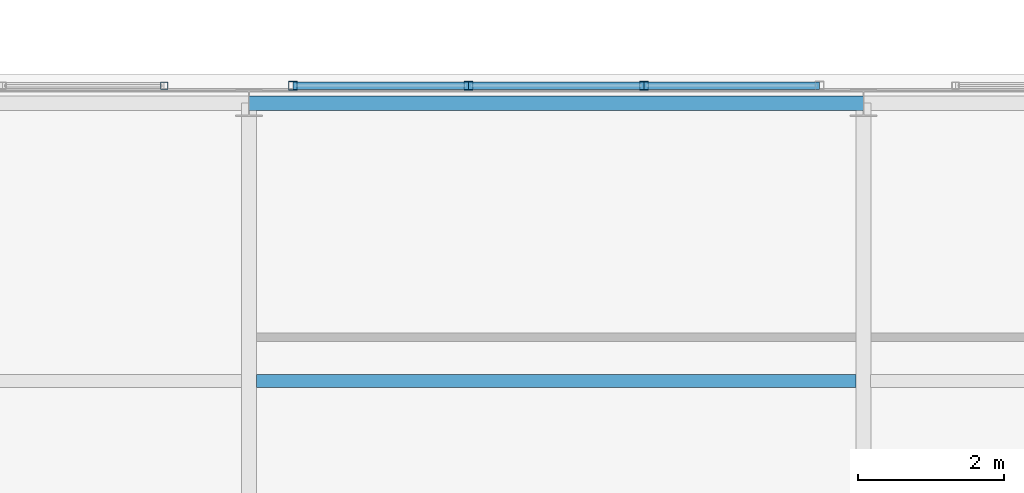
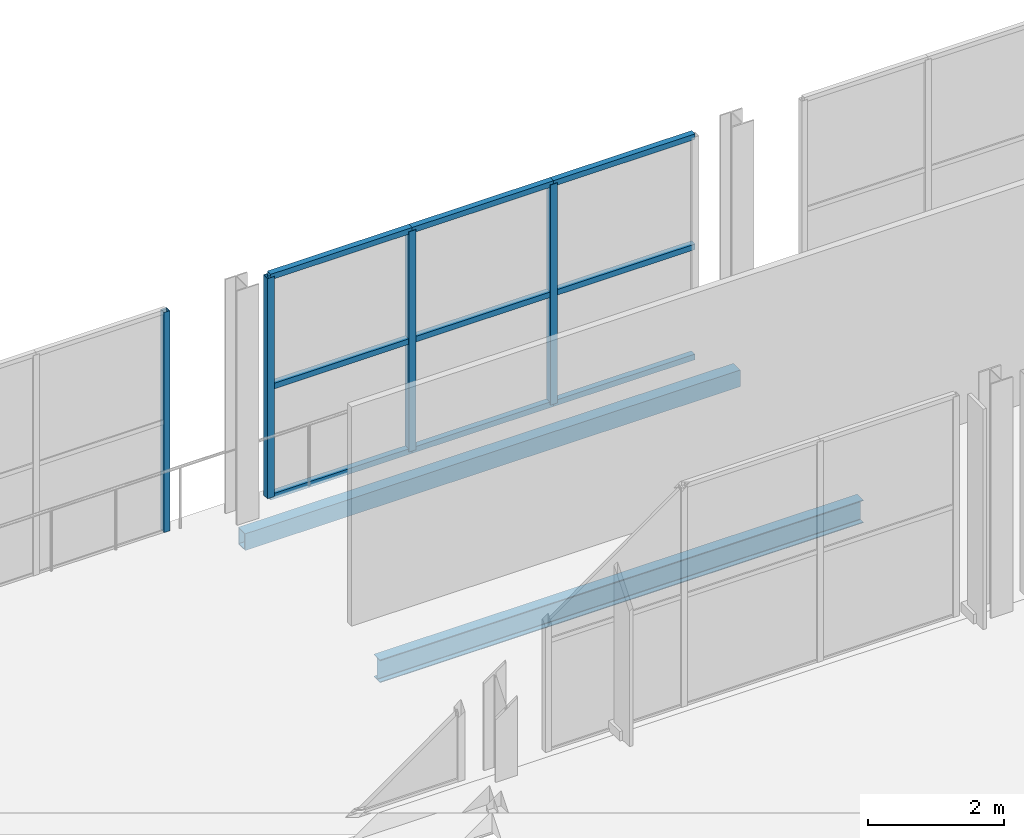
# One storey, part 31 of 217: 13 members, 2 beams, 2 elements without a shape of their own.
"""IFC4 building model written with IfcOpenShell, lengths in metres."""

from ifc_helpers import new_model, si_unit, direction, frame, origin, origin_2d, place, context, subcontext, project, spatial, hollow_rectangle, i_section, extrude, material, material_profile, profile_set, type_object, element, aggregate, save


model = new_model("IFC4")

# Units and contexts
model_context = context("Model", 3, precision=1e-05, world=origin(), true_north=direction((0.0, 1.0)))
body_context = subcontext(model_context, "Body", "Model", "MODEL_VIEW")
ifc_project = project(units=[si_unit("LENGTHUNIT", "METRE"), si_unit("AREAUNIT", "SQUARE_METRE"), si_unit("VOLUMEUNIT", "CUBIC_METRE"), si_unit("PLANEANGLEUNIT", "RADIAN"), si_unit("MASSUNIT", "GRAM", prefix="KILO")], contexts=[model_context])

# Site, building, storey
site_placement = place(None, origin())
site = spatial("IfcSite", under=ifc_project, at=site_placement, CompositionType="ELEMENT")
building_placement = place(site_placement, origin())
building = spatial("IfcBuilding", under=site, at=building_placement, Name="Zuvorla Pavilion Media Centre", CompositionType="ELEMENT")
storey_placement = place(building_placement, frame((0.0, 0.0, 9.60009765625)))
storey = spatial("IfcBuildingStorey", under=building, at=storey_placement, Name="L02", CompositionType="ELEMENT", Elevation=9.60009765625)

# Beams
ifc_material_1 = material(Name="Steel S355", Category="steel")
ifc_material_profile_1 = material_profile(ifc_material_1, hollow_rectangle(XDim=0.199951171875, YDim=0.300048828125, WallThickness=0.012451171875, at=origin_2d()), Name="RHS 300x200x12.5")
ifc_profile_set_1 = profile_set([ifc_material_profile_1], Name="Steel S355")
beam_type_1 = type_object("IfcBeamType", Name="BM-SP-RHS300", PredefinedType="SPANDREL", material=ifc_profile_set_1)
beam_1_placement = place(storey_placement, frame((50.0, 51.60009765625, -0.418212890625), z_axis=(1.0, 0.0, 0.0), x_axis=(0.0, 1.0, 0.0)))
element("IfcBeam", 1, at=beam_1_placement, inside=storey, type_object=beam_type_1, Name="L02 spandrel SP01 839", PredefinedType="SPANDREL", context=body_context, shape_type="SweptSolid", body=[
    extrude(hollow_rectangle(XDim=0.199951171875, YDim=0.300048828125, WallThickness=0.012451171875, at=origin_2d()), origin(), (0.0, 0.0, 1.0), 8.39990234375),
])
ifc_material_profile_2 = material_profile(ifc_material_1, i_section(OverallWidth=0.1787109375, OverallDepth=0.409423828125, WebThickness=0.0087890625, FlangeThickness=0.014404296875, FilletRadius=0.01025390625, at=origin_2d()), Name="UB 406x178x67")
ifc_profile_set_2 = profile_set([ifc_material_profile_2], Name="Steel S355")
beam_type_2 = type_object("IfcBeamType", Name="BM-UB406", PredefinedType="JOIST", material=ifc_profile_set_2)
beam_2_placement = place(storey_placement, frame((50.10009765625, 47.800048828125, -0.472900390625), z_axis=(1.0, 0.0, 0.0), x_axis=(0.0, 1.0, 0.0)))
element("IfcBeam", 2, at=beam_2_placement, inside=storey, type_object=beam_type_2, Name="L02 joist J02 998", PredefinedType="JOIST", context=body_context, shape_type="SweptSolid", body=[
    extrude(i_section(OverallWidth=0.1787109375, OverallDepth=0.409423828125, WebThickness=0.0087890625, FlangeThickness=0.014404296875, FilletRadius=0.01025390625, at=origin_2d()), origin(), (0.0, 0.0, 1.0), 8.199951171875),
])

# Curtain wall, member
ifc_material_2 = material(Name="Unitised anodised aluminium and solar glass curtain wall", Category="aluminium")
curtain_wall_type_1 = type_object("IfcCurtainWallType", Name="CW-SYS-32", PredefinedType="USERDEFINED", material=ifc_material_2)
curtain_wall_1_placement = place(storey_placement, origin())
curtain_wall_1 = element("IfcCurtainWall", 3, at=curtain_wall_1_placement, inside=storey, type_object=curtain_wall_type_1, Name="L02 curtain wall CW32 53", ObjectType="CURTAIN WALL", PredefinedType="USERDEFINED")
ifc_material_3 = material(Name="Anodised aluminium 6063-T6", Category="aluminium")
ifc_material_profile_3 = material_profile(ifc_material_3, hollow_rectangle(XDim=0.10009765625, YDim=0.10009765625, WallThickness=0.00439453125, at=origin_2d()), Name="ALU MULL 100x100")
ifc_profile_set_3 = profile_set([ifc_material_profile_3], Name="Anodised aluminium 6063-T6")
member_type_1 = type_object("IfcMemberType", Name="CW-MULL-100", PredefinedType="MULLION", material=ifc_profile_set_3)
member_1_placement = place(storey_placement, frame((48.840087890625, 51.840087890625, 0.0), z_axis=(0.0, 0.0, 1.0), x_axis=(1.0, 0.0, 0.0)))
member_1 = element("IfcMember", 4, at=member_1_placement, type_object=member_type_1, Name="CW32 mullion 4", PredefinedType="MULLION", context=body_context, shape_type="SweptSolid", body=[
    extrude(hollow_rectangle(XDim=0.10009765625, YDim=0.10009765625, WallThickness=0.00439453125, at=origin_2d()), origin(), (0.0, 0.0, 1.0), 3.949951171875),
])
aggregate(curtain_wall_1, [member_1])

# Curtain wall, members
curtain_wall_type_2 = type_object("IfcCurtainWallType", Name="CW-SYS-34", PredefinedType="USERDEFINED", material=ifc_material_2)
curtain_wall_2_placement = place(storey_placement, origin())
curtain_wall_2 = element("IfcCurtainWall", 5, at=curtain_wall_2_placement, inside=storey, type_object=curtain_wall_type_2, Name="L02 curtain wall CW34 55", ObjectType="CURTAIN WALL", PredefinedType="USERDEFINED")
ifc_material_profile_4 = material_profile(ifc_material_3, hollow_rectangle(XDim=0.1201171875, YDim=0.1201171875, WallThickness=0.0048828125, at=origin_2d()), Name="ALU MULL 120x120")
ifc_profile_set_4 = profile_set([ifc_material_profile_4], Name="Anodised aluminium 6063-T6")
member_type_2 = type_object("IfcMemberType", Name="CW-MULL-120", PredefinedType="MULLION", material=ifc_profile_set_4)
member_2_placement = place(storey_placement, frame((50.60009765625, 51.840087890625, 0.0), z_axis=(0.0, 0.0, 1.0), x_axis=(1.0, 0.0, 0.0)))
member_2 = element("IfcMember", 6, at=member_2_placement, type_object=member_type_2, Name="CW34 mullion 1", PredefinedType="MULLION", context=body_context, shape_type="SweptSolid", body=[
    extrude(hollow_rectangle(XDim=0.1201171875, YDim=0.1201171875, WallThickness=0.0048828125, at=origin_2d()), origin(), (0.0, 0.0, 1.0), 3.949951171875),
])
member_3_placement = place(storey_placement, frame((53.0, 51.840087890625, 0.0), z_axis=(0.0, 0.0, 1.0), x_axis=(1.0, 0.0, 0.0)))
member_3 = element("IfcMember", 7, at=member_3_placement, type_object=member_type_2, Name="CW34 mullion 2", PredefinedType="MULLION", context=body_context, shape_type="SweptSolid", body=[
    extrude(hollow_rectangle(XDim=0.1201171875, YDim=0.1201171875, WallThickness=0.0048828125, at=origin_2d()), origin(), (0.0, 0.0, 1.0), 3.949951171875),
])
member_4_placement = place(storey_placement, frame((55.39990234375, 51.840087890625, 0.0), z_axis=(0.0, 0.0, 1.0), x_axis=(1.0, 0.0, 0.0)))
member_4 = element("IfcMember", 8, at=member_4_placement, type_object=member_type_2, Name="CW34 mullion 3", PredefinedType="MULLION", context=body_context, shape_type="SweptSolid", body=[
    extrude(hollow_rectangle(XDim=0.1201171875, YDim=0.1201171875, WallThickness=0.0048828125, at=origin_2d()), origin(), (0.0, 0.0, 1.0), 3.949951171875),
])
ifc_material_profile_5 = material_profile(ifc_material_3, hollow_rectangle(XDim=0.10009765625, YDim=0.10009765625, WallThickness=0.00439453125, at=origin_2d()), Name="ALU TRAN 100x100")
ifc_profile_set_5 = profile_set([ifc_material_profile_5], Name="Anodised aluminium 6063-T6")
member_type_3 = type_object("IfcMemberType", Name="CW-TRAN-100", PredefinedType="USERDEFINED", material=ifc_profile_set_5)
member_5_placement = place(storey_placement, frame((50.60009765625, 51.840087890625, 0.0), z_axis=(1.0, 0.0, 0.0), x_axis=(0.0, 1.0, 0.0)))
member_5 = element("IfcMember", 9, at=member_5_placement, type_object=member_type_3, Name="CW34 transom 1.1", ObjectType="TRANSOM", PredefinedType="USERDEFINED", context=body_context, shape_type="SweptSolid", body=[
    extrude(hollow_rectangle(XDim=0.10009765625, YDim=0.10009765625, WallThickness=0.00439453125, at=origin_2d()), origin(), (0.0, 0.0, 1.0), 2.39990234375),
])
member_6_placement = place(storey_placement, frame((50.60009765625, 51.840087890625, 1.974853515625), z_axis=(1.0, 0.0, 0.0), x_axis=(0.0, 1.0, 0.0)))
member_6 = element("IfcMember", 10, at=member_6_placement, type_object=member_type_3, Name="CW34 transom 1.2", ObjectType="TRANSOM", PredefinedType="USERDEFINED", context=body_context, shape_type="SweptSolid", body=[
    extrude(hollow_rectangle(XDim=0.10009765625, YDim=0.10009765625, WallThickness=0.00439453125, at=origin_2d()), origin(), (0.0, 0.0, 1.0), 2.39990234375),
])
member_7_placement = place(storey_placement, frame((50.60009765625, 51.840087890625, 3.949951171875), z_axis=(1.0, 0.0, 0.0), x_axis=(0.0, 1.0, 0.0)))
member_7 = element("IfcMember", 11, at=member_7_placement, type_object=member_type_3, Name="CW34 transom 1.3", ObjectType="TRANSOM", PredefinedType="USERDEFINED", context=body_context, shape_type="SweptSolid", body=[
    extrude(hollow_rectangle(XDim=0.10009765625, YDim=0.10009765625, WallThickness=0.00439453125, at=origin_2d()), origin(), (0.0, 0.0, 1.0), 2.39990234375),
])
member_8_placement = place(storey_placement, frame((53.0, 51.840087890625, 0.0), z_axis=(1.0, 0.0, 0.0), x_axis=(0.0, 1.0, 0.0)))
member_8 = element("IfcMember", 12, at=member_8_placement, type_object=member_type_3, Name="CW34 transom 2.1", ObjectType="TRANSOM", PredefinedType="USERDEFINED", context=body_context, shape_type="SweptSolid", body=[
    extrude(hollow_rectangle(XDim=0.10009765625, YDim=0.10009765625, WallThickness=0.00439453125, at=origin_2d()), origin(), (0.0, 0.0, 1.0), 2.39990234375),
])
member_9_placement = place(storey_placement, frame((53.0, 51.840087890625, 1.974853515625), z_axis=(1.0, 0.0, 0.0), x_axis=(0.0, 1.0, 0.0)))
member_9 = element("IfcMember", 13, at=member_9_placement, type_object=member_type_3, Name="CW34 transom 2.2", ObjectType="TRANSOM", PredefinedType="USERDEFINED", context=body_context, shape_type="SweptSolid", body=[
    extrude(hollow_rectangle(XDim=0.10009765625, YDim=0.10009765625, WallThickness=0.00439453125, at=origin_2d()), origin(), (0.0, 0.0, 1.0), 2.39990234375),
])
member_10_placement = place(storey_placement, frame((53.0, 51.840087890625, 3.949951171875), z_axis=(1.0, 0.0, 0.0), x_axis=(0.0, 1.0, 0.0)))
member_10 = element("IfcMember", 14, at=member_10_placement, type_object=member_type_3, Name="CW34 transom 2.3", ObjectType="TRANSOM", PredefinedType="USERDEFINED", context=body_context, shape_type="SweptSolid", body=[
    extrude(hollow_rectangle(XDim=0.10009765625, YDim=0.10009765625, WallThickness=0.00439453125, at=origin_2d()), origin(), (0.0, 0.0, 1.0), 2.39990234375),
])
member_11_placement = place(storey_placement, frame((55.39990234375, 51.840087890625, 0.0), z_axis=(1.0, 0.0, 0.0), x_axis=(0.0, 1.0, 0.0)))
member_11 = element("IfcMember", 15, at=member_11_placement, type_object=member_type_3, Name="CW34 transom 3.1", ObjectType="TRANSOM", PredefinedType="USERDEFINED", context=body_context, shape_type="SweptSolid", body=[
    extrude(hollow_rectangle(XDim=0.10009765625, YDim=0.10009765625, WallThickness=0.00439453125, at=origin_2d()), origin(), (0.0, 0.0, 1.0), 2.39990234375),
])
member_12_placement = place(storey_placement, frame((55.39990234375, 51.840087890625, 1.974853515625), z_axis=(1.0, 0.0, 0.0), x_axis=(0.0, 1.0, 0.0)))
member_12 = element("IfcMember", 16, at=member_12_placement, type_object=member_type_3, Name="CW34 transom 3.2", ObjectType="TRANSOM", PredefinedType="USERDEFINED", context=body_context, shape_type="SweptSolid", body=[
    extrude(hollow_rectangle(XDim=0.10009765625, YDim=0.10009765625, WallThickness=0.00439453125, at=origin_2d()), origin(), (0.0, 0.0, 1.0), 2.39990234375),
])
member_13_placement = place(storey_placement, frame((55.39990234375, 51.840087890625, 3.949951171875), z_axis=(1.0, 0.0, 0.0), x_axis=(0.0, 1.0, 0.0)))
member_13 = element("IfcMember", 17, at=member_13_placement, type_object=member_type_3, Name="CW34 transom 3.3", ObjectType="TRANSOM", PredefinedType="USERDEFINED", context=body_context, shape_type="SweptSolid", body=[
    extrude(hollow_rectangle(XDim=0.10009765625, YDim=0.10009765625, WallThickness=0.00439453125, at=origin_2d()), origin(), (0.0, 0.0, 1.0), 2.39990234375),
])
aggregate(curtain_wall_2, [member_2, member_3, member_4, member_5, member_6, member_7, member_8, member_9, member_10, member_11, member_12, member_13])

save(model, "model.ifc")
